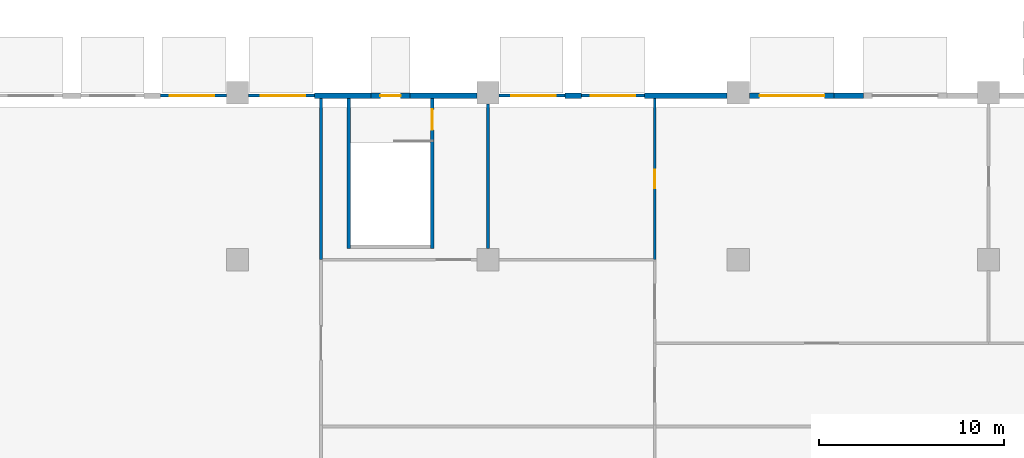
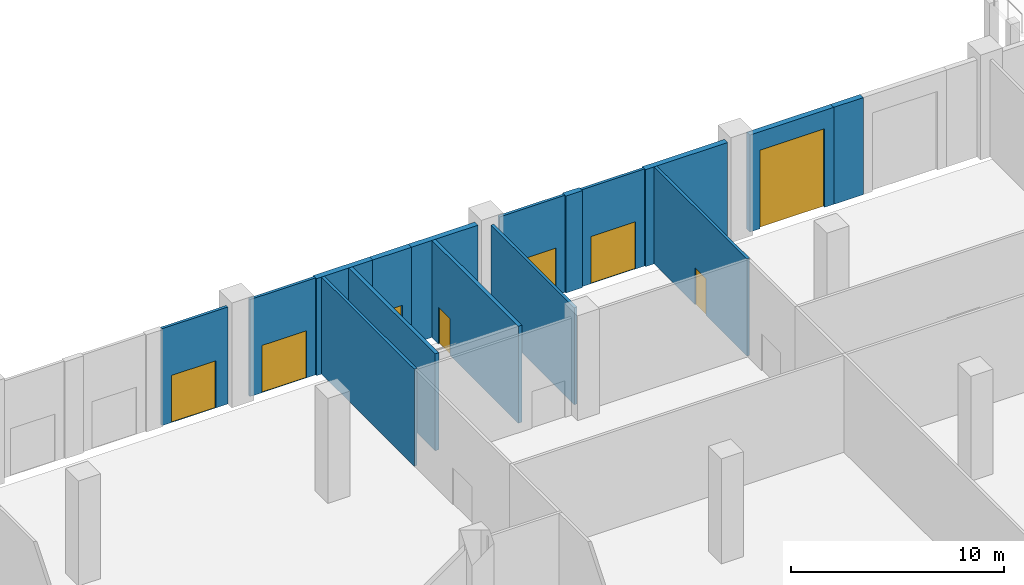
# One storey, part 33 of 68: 16 walls, 8 doors, 8 openings.
"""IFC4 building model written with IfcOpenShell, lengths in metres."""

from ifc_helpers import new_model, si_unit, direction, frame, frame_2d, origin, place, context, subcontext, project, spatial, rectangle, extrude, material, layer, layer_set, type_object, element, fill, save


model = new_model("IFC4")

# Units and contexts
model_context = context("Model", 3, precision=1e-05, world=origin(), true_north=direction((0.0, 1.0)))
body_context = subcontext(model_context, "Body", "Model", "MODEL_VIEW")
ifc_project = project(units=[si_unit("LENGTHUNIT", "METRE"), si_unit("AREAUNIT", "SQUARE_METRE"), si_unit("VOLUMEUNIT", "CUBIC_METRE"), si_unit("PLANEANGLEUNIT", "RADIAN"), si_unit("MASSUNIT", "GRAM", prefix="KILO")], contexts=[model_context])

# Site, building, storey
site_placement = place(None, origin())
site = spatial("IfcSite", under=ifc_project, at=site_placement, CompositionType="ELEMENT")
building_placement = place(site_placement, origin())
building = spatial("IfcBuilding", under=site, at=building_placement, Name="Altepetl Exchange Towers", CompositionType="ELEMENT")
storey_placement = place(building_placement, origin())
storey = spatial("IfcBuildingStorey", under=building, at=storey_placement, Name="L00 Ground concourse", CompositionType="ELEMENT", Elevation=0.0)

# Wall, opening, door
ifc_material_1 = material(Name="Aluminium composite cladding", Category="aluminium")
ifc_layer_1 = layer(ifc_material_1, 0.14990234375)
ifc_layer_set_1 = layer_set([ifc_layer_1], Name="Aluminium composite cladding")
wall_type_1 = type_object("IfcWallType", Name="Infill wall 150 aluminium panel", PredefinedType="SOLIDWALL", material=ifc_layer_set_1)
wall_1_placement = place(storey_placement, frame((111.949951171875, 98.85009765625, 0.0), z_axis=(0.0, 0.0, 1.0), x_axis=(-1.0, 0.0, 0.0)))
wall_1 = element("IfcWall", 1, at=wall_1_placement, inside=storey, type_object=wall_type_1, Name="Door bay wall", PredefinedType="SOLIDWALL", context=body_context, shape_type="SweptSolid", body=[
    extrude(rectangle(XDim=3.39990234375, YDim=0.14990234375, at=frame_2d((1.699951171875, 0.0))), origin(), (0.0, 0.0, 1.0), 5.550048828125),
])
opening_1_placement = place(wall_1_placement, frame((0.5, 0.0, 0.0)))
opening_1 = element("IfcOpeningElement", 2, at=opening_1_placement, cuts=wall_1, Name="Opening L00.E54", PredefinedType="OPENING", context=body_context, shape_type="SweptSolid", body=[
    extrude(rectangle(XDim=2.39990234375, YDim=2.699951171875, at=frame_2d((1.199951171875, 1.35009765625))), frame((0.0, 0.0849609375, 0.0), z_axis=(0.0, -1.0, 0.0), x_axis=(1.0, 0.0, 0.0)), (0.0, 0.0, 1.0), 0.169921875),
])
ifc_material_2 = material(Name="Aluminium 6063-T6 and glass", Category="aluminium")
door_type_1 = type_object("IfcDoorType", Name="Entrance door pair 2400x2700 pedestrian", OperationType="DOUBLE_DOOR_DOUBLE_SWING", PredefinedType="NOTDEFINED", material=ifc_material_2)
door_1_placement = place(opening_1_placement, frame((2.39990234375, 0.0, 0.0), x_axis=(-1.0, 0.0, 0.0)))
door_1 = element("IfcDoor", 3, at=door_1_placement, inside=storey, type_object=door_type_1, Name="Entrance door", OperationType="DOUBLE_DOOR_DOUBLE_SWING", OverallHeight=2.699951171875, OverallWidth=2.39990234375, PredefinedType="NOTDEFINED", context=body_context, shape_type="SweptSolid", body=[
    extrude(rectangle(XDim=2.39990234375, YDim=2.699951171875, at=frame_2d((1.199951171875, 1.35009765625))), frame((0.0, 0.02490234375, 0.0), z_axis=(0.0, -1.0, 0.0), x_axis=(1.0, 0.0, 0.0)), (0.0, 0.0, 1.0), 0.050048828125),
])
fill(opening_1, door_1)

wall_2_placement = place(storey_placement, frame((107.64990234375, 98.85009765625, 0.0), z_axis=(0.0, 0.0, 1.0), x_axis=(-1.0, 0.0, 0.0)))
wall_2 = element("IfcWall", 4, at=wall_2_placement, inside=storey, type_object=wall_type_1, Name="Door bay wall", PredefinedType="SOLIDWALL", context=body_context, shape_type="SweptSolid", body=[
    extrude(rectangle(XDim=3.5498046875, YDim=0.14990234375, at=frame_2d((1.77490234375, 0.0))), origin(), (0.0, 0.0, 1.0), 5.550048828125),
])
opening_2_placement = place(wall_2_placement, frame((0.5, 0.0, 0.0)))
opening_2 = element("IfcOpeningElement", 5, at=opening_2_placement, cuts=wall_2, Name="Opening L00.E53", PredefinedType="OPENING", context=body_context, shape_type="SweptSolid", body=[
    extrude(rectangle(XDim=2.39990234375, YDim=2.699951171875, at=frame_2d((1.199951171875, 1.35009765625))), frame((0.0, 0.0849609375, 0.0), z_axis=(0.0, -1.0, 0.0), x_axis=(1.0, 0.0, 0.0)), (0.0, 0.0, 1.0), 0.169921875),
])
door_2_placement = place(opening_2_placement, frame((2.39990234375, 0.0, 0.0), x_axis=(-1.0, 0.0, 0.0)))
door_2 = element("IfcDoor", 6, at=door_2_placement, inside=storey, type_object=door_type_1, Name="Entrance door", OperationType="DOUBLE_DOOR_DOUBLE_SWING", OverallHeight=2.699951171875, OverallWidth=2.39990234375, PredefinedType="NOTDEFINED", context=body_context, shape_type="SweptSolid", body=[
    extrude(rectangle(XDim=2.39990234375, YDim=2.699951171875, at=frame_2d((1.199951171875, 1.35009765625))), frame((0.0, 0.02490234375, 0.0), z_axis=(0.0, -1.0, 0.0), x_axis=(1.0, 0.0, 0.0)), (0.0, 0.0, 1.0), 0.050048828125),
])
fill(opening_2, door_2)

wall_3_placement = place(storey_placement, frame((94.14990234375, 98.85009765625, 0.0), z_axis=(0.0, 0.0, 1.0), x_axis=(-1.0, 0.0, 0.0)))
wall_3 = element("IfcWall", 7, at=wall_3_placement, inside=storey, type_object=wall_type_1, Name="Door bay wall", PredefinedType="SOLIDWALL", context=body_context, shape_type="SweptSolid", body=[
    extrude(rectangle(XDim=3.5498046875, YDim=0.14990234375, at=frame_2d((1.77490234375, 0.0))), origin(), (0.0, 0.0, 1.0), 5.550048828125),
])
opening_3_placement = place(wall_3_placement, frame((0.5, 0.0, 0.0)))
opening_3 = element("IfcOpeningElement", 8, at=opening_3_placement, cuts=wall_3, Name="Opening L00.E10", PredefinedType="OPENING", context=body_context, shape_type="SweptSolid", body=[
    extrude(rectangle(XDim=2.39990234375, YDim=2.699951171875, at=frame_2d((1.199951171875, 1.35009765625))), frame((0.0, 0.0849609375, 0.0), z_axis=(0.0, -1.0, 0.0), x_axis=(1.0, 0.0, 0.0)), (0.0, 0.0, 1.0), 0.169921875),
])
door_3_placement = place(opening_3_placement, frame((2.39990234375, 0.0, 0.0), x_axis=(-1.0, 0.0, 0.0)))
door_3 = element("IfcDoor", 9, at=door_3_placement, inside=storey, type_object=door_type_1, Name="Entrance door", OperationType="DOUBLE_DOOR_DOUBLE_SWING", OverallHeight=2.699951171875, OverallWidth=2.39990234375, PredefinedType="NOTDEFINED", context=body_context, shape_type="SweptSolid", body=[
    extrude(rectangle(XDim=2.39990234375, YDim=2.699951171875, at=frame_2d((1.199951171875, 1.35009765625))), frame((0.0, 0.02490234375, 0.0), z_axis=(0.0, -1.0, 0.0), x_axis=(1.0, 0.0, 0.0)), (0.0, 0.0, 1.0), 0.050048828125),
])
fill(opening_3, door_3)

wall_4_placement = place(storey_placement, frame((89.39990234375, 98.85009765625, 0.0), z_axis=(0.0, 0.0, 1.0), x_axis=(-1.0, 0.0, 0.0)))
wall_4 = element("IfcWall", 10, at=wall_4_placement, inside=storey, type_object=wall_type_1, Name="Door bay wall", PredefinedType="SOLIDWALL", context=body_context, shape_type="SweptSolid", body=[
    extrude(rectangle(XDim=3.5498046875, YDim=0.14990234375, at=frame_2d((1.77490234375, 0.0))), origin(), (0.0, 0.0, 1.0), 5.550048828125),
])
opening_4_placement = place(wall_4_placement, frame((0.64990234375, 0.0, 0.0)))
opening_4 = element("IfcOpeningElement", 11, at=opening_4_placement, cuts=wall_4, Name="Opening L00.E09", PredefinedType="OPENING", context=body_context, shape_type="SweptSolid", body=[
    extrude(rectangle(XDim=2.39990234375, YDim=2.699951171875, at=frame_2d((1.199951171875, 1.35009765625))), frame((0.0, 0.0849609375, 0.0), z_axis=(0.0, -1.0, 0.0), x_axis=(1.0, 0.0, 0.0)), (0.0, 0.0, 1.0), 0.169921875),
])
door_4_placement = place(opening_4_placement, frame((2.39990234375, 0.0, 0.0), x_axis=(-1.0, 0.0, 0.0)))
door_4 = element("IfcDoor", 12, at=door_4_placement, inside=storey, type_object=door_type_1, Name="Entrance door", OperationType="DOUBLE_DOOR_DOUBLE_SWING", OverallHeight=2.699951171875, OverallWidth=2.39990234375, PredefinedType="NOTDEFINED", context=body_context, shape_type="SweptSolid", body=[
    extrude(rectangle(XDim=2.39990234375, YDim=2.699951171875, at=frame_2d((1.199951171875, 1.35009765625))), frame((0.0, 0.02490234375, 0.0), z_axis=(0.0, -1.0, 0.0), x_axis=(1.0, 0.0, 0.0)), (0.0, 0.0, 1.0), 0.050048828125),
])
fill(opening_4, door_4)

# Walls
ifc_material_3 = material(Name="Gypsum board on steel studs", Category="steel")
ifc_layer_2 = layer(ifc_material_3, 0.14990234375)
ifc_layer_set_2 = layer_set([ifc_layer_2], Name="Gypsum board on steel studs")
wall_type_2 = type_object("IfcWallType", Name="Podium partition 150", PredefinedType="PARTITIONING", material=ifc_layer_set_2)
wall_5_placement = place(storey_placement, frame((94.5, 90.0, 0.0), z_axis=(0.0, 0.0, 1.0), x_axis=(0.0, 1.0, 0.0)))
element("IfcWall", 13, at=wall_5_placement, inside=storey, type_object=wall_type_2, Name="wall:P:L00:P040", PredefinedType="PARTITIONING", context=body_context, shape_type="SweptSolid", body=[
    extrude(rectangle(XDim=8.699951171875, YDim=0.14990234375, at=frame_2d((4.35009765625, 0.0))), origin(), (0.0, 0.0, 1.0), 5.550048828125),
])
wall_6_placement = place(storey_placement, frame((103.5, 90.594970703125, 0.0), z_axis=(0.0, 0.0, 1.0), x_axis=(0.0, 1.0, 0.0)))
element("IfcWall", 14, at=wall_6_placement, inside=storey, type_object=wall_type_2, Name="wall:P:L00:P274", PredefinedType="PARTITIONING", context=body_context, shape_type="SweptSolid", body=[
    extrude(rectangle(XDim=7.81005859375, YDim=0.14990234375, at=frame_2d((3.905029296875, 0.0))), origin(), (0.0, 0.0, 1.0), 5.550048828125),
])

# Wall, opening, door
wall_7_placement = place(storey_placement, frame((112.5, 90.0, 0.0), z_axis=(0.0, 0.0, 1.0), x_axis=(0.0, 1.0, 0.0)))
wall_7 = element("IfcWall", 15, at=wall_7_placement, inside=storey, type_object=wall_type_2, Name="wall:P:L00:P278", PredefinedType="PARTITIONING", context=body_context, shape_type="SweptSolid", body=[
    extrude(rectangle(XDim=8.699951171875, YDim=0.14990234375, at=frame_2d((4.35009765625, 0.0))), origin(), (0.0, 0.0, 1.0), 5.550048828125),
])
opening_5_placement = place(wall_7_placement, frame((3.85009765625, 0.0, 0.0)))
opening_5 = element("IfcOpeningElement", 16, at=opening_5_placement, cuts=wall_7, Name="Opening L00.P050", PredefinedType="OPENING", context=body_context, shape_type="SweptSolid", body=[
    extrude(rectangle(XDim=1.0, YDim=2.10009765625, at=frame_2d((0.5, 1.050048828125))), frame((0.0, 0.0849609375, 0.0), z_axis=(0.0, -1.0, 0.0), x_axis=(1.0, 0.0, 0.0)), (0.0, 0.0, 1.0), 0.169921875),
])
ifc_material_4 = material(Name="Steel and timber fire door", Category="steel")
door_type_2 = type_object("IfcDoorType", Name="Podium fire door 1000 x 2100 single leaf", OperationType="SINGLE_SWING_LEFT", PredefinedType="DOOR", material=ifc_material_4)
door_5_placement = place(opening_5_placement, origin())
door_5 = element("IfcDoor", 17, at=door_5_placement, inside=storey, type_object=door_type_2, Name="door:P:L00:050", OperationType="SINGLE_SWING_RIGHT", OverallHeight=2.10009765625, OverallWidth=1.0, PredefinedType="DOOR", context=body_context, shape_type="SweptSolid", body=[
    extrude(rectangle(XDim=1.0, YDim=2.10009765625, at=frame_2d((0.5, 1.050048828125))), frame((0.0, 0.02490234375, 0.0), z_axis=(0.0, -1.0, 0.0), x_axis=(1.0, 0.0, 0.0)), (0.0, 0.0, 1.0), 0.050048828125),
])
fill(opening_5, door_5)

# Wall
ifc_material_5 = material(Name="Reinforced concrete C35/45", Category="concrete")
ifc_layer_3 = layer(ifc_material_5, 0.199951171875)
ifc_layer_set_3 = layer_set([ifc_layer_3], Name="Reinforced concrete C35/45")
wall_type_3 = type_object("IfcWallType", Name="Stair enclosure wall 200", PredefinedType="SOLIDWALL", material=ifc_layer_set_3)
wall_8_placement = place(storey_placement, frame((96.0, 90.60009765625, 0.0), z_axis=(0.0, 0.0, 1.0), x_axis=(0.0, 1.0, 0.0)))
element("IfcWall", 18, at=wall_8_placement, inside=storey, type_object=wall_type_3, Name="wall:P:L00:P275", PredefinedType="SOLIDWALL", context=body_context, shape_type="SweptSolid", body=[
    extrude(rectangle(XDim=8.099853515625, YDim=0.199951171875, at=frame_2d((4.0498046875, 0.0))), origin(), (0.0, 0.0, 1.0), 5.550048828125),
])

# Wall, opening, door
wall_9_placement = place(storey_placement, frame((100.5, 90.60009765625, 0.0), z_axis=(0.0, 0.0, 1.0), x_axis=(0.0, 1.0, 0.0)))
wall_9 = element("IfcWall", 19, at=wall_9_placement, inside=storey, type_object=wall_type_3, Name="wall:P:L00:P276", PredefinedType="SOLIDWALL", context=body_context, shape_type="SweptSolid", body=[
    extrude(rectangle(XDim=8.099853515625, YDim=0.199951171875, at=frame_2d((4.0498046875, 0.0))), origin(), (0.0, 0.0, 1.0), 5.550048828125),
])
opening_6_placement = place(wall_9_placement, frame((6.39990234375, 0.0, 0.0)))
opening_6 = element("IfcOpeningElement", 20, at=opening_6_placement, cuts=wall_9, Name="Opening L00.P058", PredefinedType="OPENING", context=body_context, shape_type="SweptSolid", body=[
    extrude(rectangle(XDim=1.10009765625, YDim=2.10009765625, at=frame_2d((0.550048828125, 1.050048828125))), frame((0.0, 0.10986328125, 0.0), z_axis=(0.0, -1.0, 0.0), x_axis=(1.0, 0.0, 0.0)), (0.0, 0.0, 1.0), 0.219970703125),
])
ifc_material_6 = material(Name="Steel fire door", Category="steel")
door_type_3 = type_object("IfcDoorType", Name="Podium fire door 1100 x 2100 single leaf", OperationType="SINGLE_SWING_LEFT", PredefinedType="DOOR", material=ifc_material_6)
door_6_placement = place(opening_6_placement, frame((1.10009765625, 0.0, 0.0), x_axis=(-1.0, 0.0, 0.0)))
door_6 = element("IfcDoor", 21, at=door_6_placement, inside=storey, type_object=door_type_3, Name="door:P:L00:058", OperationType="SINGLE_SWING_RIGHT", OverallHeight=2.10009765625, OverallWidth=1.10009765625, PredefinedType="DOOR", context=body_context, shape_type="SweptSolid", body=[
    extrude(rectangle(XDim=1.10009765625, YDim=2.10009765625, at=frame_2d((0.550048828125, 1.050048828125))), frame((0.0, 0.02490234375, 0.0), z_axis=(0.0, -1.0, 0.0), x_axis=(1.0, 0.0, 0.0)), (0.0, 0.0, 1.0), 0.050048828125),
])
fill(opening_6, door_6)

# Wall
ifc_material_7 = material(Name="Cantera limestone cladding", Category="masonry")
ifc_layer_4 = layer(ifc_material_7, 0.300048828125)
ifc_layer_set_4 = layer_set([ifc_layer_4], Name="Cantera limestone cladding")
wall_type_4 = type_object("IfcWallType", Name="Stone wall panel 300", PredefinedType="ELEMENTEDWALL", material=ifc_layer_set_4)
wall_10_placement = place(storey_placement, frame((123.75, 98.85009765625, 0.0), z_axis=(0.0, 0.0, 1.0), x_axis=(-1.0, 0.0, 0.0)))
element("IfcWall", 22, at=wall_10_placement, inside=storey, type_object=wall_type_4, Name="Stone wall panel", PredefinedType="ELEMENTEDWALL", context=body_context, shape_type="SweptSolid", body=[
    extrude(rectangle(XDim=1.60009765625, YDim=0.300048828125, at=frame_2d((0.800048828125, 0.0))), origin(), (0.0, 0.0, 1.0), 5.550048828125),
])

# Wall, opening, door
wall_11_placement = place(storey_placement, frame((122.14990234375, 98.85009765625, 0.0), z_axis=(0.0, 0.0, 1.0), x_axis=(-1.0, 0.0, 0.0)))
wall_11 = element("IfcWall", 23, at=wall_11_placement, inside=storey, type_object=wall_type_4, Name="Stone wall panel", PredefinedType="ELEMENTEDWALL", context=body_context, shape_type="SweptSolid", body=[
    extrude(rectangle(XDim=4.5498046875, YDim=0.300048828125, at=frame_2d((2.27490234375, 0.0))), origin(), (0.0, 0.0, 1.0), 5.550048828125),
])
opening_7_placement = place(wall_11_placement, frame((0.5, 0.0, 0.0)))
opening_7 = element("IfcOpeningElement", 24, at=opening_7_placement, cuts=wall_11, Name="Opening L00.E55", PredefinedType="OPENING", context=body_context, shape_type="SweptSolid", body=[
    extrude(rectangle(XDim=3.5, YDim=4.5, at=frame_2d((1.75, 2.25))), frame((0.0, 0.16015625, 0.0), z_axis=(0.0, -1.0, 0.0), x_axis=(1.0, 0.0, 0.0)), (0.0, 0.0, 1.0), 0.320068359375),
])
ifc_material_8 = material(Name="Galvanised steel", Category="steel")
door_type_4 = type_object("IfcDoorType", Name="Roller shutter door 3500x4500", OperationType="ROLLINGUP", PredefinedType="NOTDEFINED", material=ifc_material_8)
door_7_placement = place(opening_7_placement, origin())
door_7 = element("IfcDoor", 25, at=door_7_placement, inside=storey, type_object=door_type_4, Name="Loading door", OperationType="ROLLINGUP", OverallHeight=4.5, OverallWidth=3.5, PredefinedType="NOTDEFINED", context=body_context, shape_type="SweptSolid", body=[
    extrude(rectangle(XDim=3.5, YDim=4.5, at=frame_2d((1.75, 2.25))), frame((0.0, 0.02490234375, 0.0), z_axis=(0.0, -1.0, 0.0), x_axis=(1.0, 0.0, 0.0)), (0.0, 0.0, 1.0), 0.050048828125),
])
fill(opening_7, door_7)

# Walls
wall_12_placement = place(storey_placement, frame((116.39990234375, 98.85009765625, 0.0), z_axis=(0.0, 0.0, 1.0), x_axis=(-1.0, 0.0, 0.0)))
element("IfcWall", 26, at=wall_12_placement, inside=storey, type_object=wall_type_4, Name="Stone wall panel", PredefinedType="ELEMENTEDWALL", context=body_context, shape_type="SweptSolid", body=[
    extrude(rectangle(XDim=4.449951171875, YDim=0.300048828125, at=frame_2d((2.22509765625, 0.0))), origin(), (0.0, 0.0, 1.0), 5.550048828125),
])
wall_13_placement = place(storey_placement, frame((108.550048828125, 98.85009765625, 0.0), z_axis=(0.0, 0.0, 1.0), x_axis=(-1.0, 0.0, 0.0)))
element("IfcWall", 27, at=wall_13_placement, inside=storey, type_object=wall_type_4, Name="Stone wall panel", PredefinedType="ELEMENTEDWALL", context=body_context, shape_type="SweptSolid", body=[
    extrude(rectangle(XDim=0.900146484375, YDim=0.300048828125, at=frame_2d((0.4501953125, 0.0))), origin(), (0.0, 0.0, 1.0), 5.550048828125),
])
wall_14_placement = place(storey_placement, frame((102.89990234375, 98.85009765625, 0.0), z_axis=(0.0, 0.0, 1.0), x_axis=(-1.0, 0.0, 0.0)))
element("IfcWall", 28, at=wall_14_placement, inside=storey, type_object=wall_type_4, Name="Stone wall panel", PredefinedType="ELEMENTEDWALL", context=body_context, shape_type="SweptSolid", body=[
    extrude(rectangle(XDim=3.599853515625, YDim=0.300048828125, at=frame_2d((1.7998046875, 0.0))), origin(), (0.0, 0.0, 1.0), 5.550048828125),
])

# Wall, opening, door
wall_15_placement = place(storey_placement, frame((99.300048828125, 98.85009765625, 0.0), z_axis=(0.0, 0.0, 1.0), x_axis=(-1.0, 0.0, 0.0)))
wall_15 = element("IfcWall", 29, at=wall_15_placement, inside=storey, type_object=wall_type_4, Name="Stone wall panel", PredefinedType="ELEMENTEDWALL", context=body_context, shape_type="SweptSolid", body=[
    extrude(rectangle(XDim=2.10009765625, YDim=0.300048828125, at=frame_2d((1.050048828125, 0.0))), origin(), (0.0, 0.0, 1.0), 5.550048828125),
])
opening_8_placement = place(wall_15_placement, frame((0.5, 0.0, 0.0)))
opening_8 = element("IfcOpeningElement", 30, at=opening_8_placement, cuts=wall_15, Name="Opening L00.E66", PredefinedType="OPENING", context=body_context, shape_type="SweptSolid", body=[
    extrude(rectangle(XDim=1.10009765625, YDim=2.39990234375, at=frame_2d((0.550048828125, 1.199951171875))), frame((0.0, 0.16015625, 0.0), z_axis=(0.0, -1.0, 0.0), x_axis=(1.0, 0.0, 0.0)), (0.0, 0.0, 1.0), 0.320068359375),
])
ifc_material_9 = material(Name="Steel S275", Category="steel")
door_type_5 = type_object("IfcDoorType", Name="Exit door 1100x2400 pedestrian", OperationType="SINGLE_SWING_LEFT", PredefinedType="NOTDEFINED", material=ifc_material_9)
door_8_placement = place(opening_8_placement, frame((1.10009765625, 0.0, 0.0), x_axis=(-1.0, 0.0, 0.0)))
door_8 = element("IfcDoor", 31, at=door_8_placement, inside=storey, type_object=door_type_5, Name="Exit door", OperationType="SINGLE_SWING_RIGHT", OverallHeight=2.39990234375, OverallWidth=1.10009765625, PredefinedType="NOTDEFINED", context=body_context, shape_type="SweptSolid", body=[
    extrude(rectangle(XDim=1.10009765625, YDim=2.39990234375, at=frame_2d((0.550048828125, 1.199951171875))), frame((0.0, 0.02490234375, 0.0), z_axis=(0.0, -1.0, 0.0), x_axis=(1.0, 0.0, 0.0)), (0.0, 0.0, 1.0), 0.050048828125),
])
fill(opening_8, door_8)

# Wall
wall_16_placement = place(storey_placement, frame((97.199951171875, 98.85009765625, 0.0), z_axis=(0.0, 0.0, 1.0), x_axis=(-1.0, 0.0, 0.0)))
element("IfcWall", 32, at=wall_16_placement, inside=storey, type_object=wall_type_4, Name="Stone wall panel", PredefinedType="ELEMENTEDWALL", context=body_context, shape_type="SweptSolid", body=[
    extrude(rectangle(XDim=3.050048828125, YDim=0.300048828125, at=frame_2d((1.52490234375, 0.0))), origin(), (0.0, 0.0, 1.0), 5.550048828125),
])

save(model, "model.ifc")
